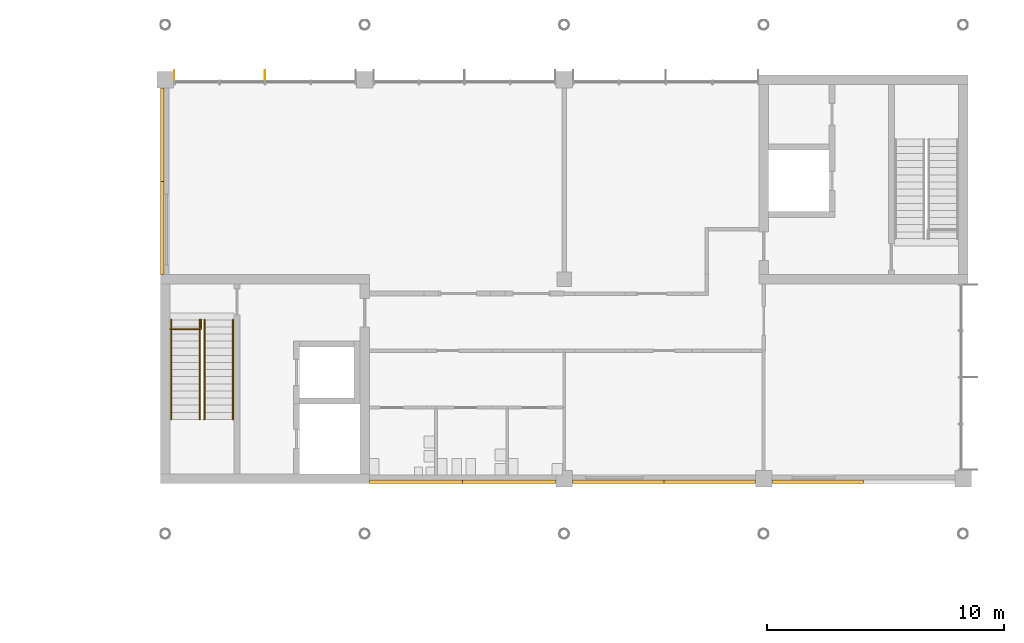
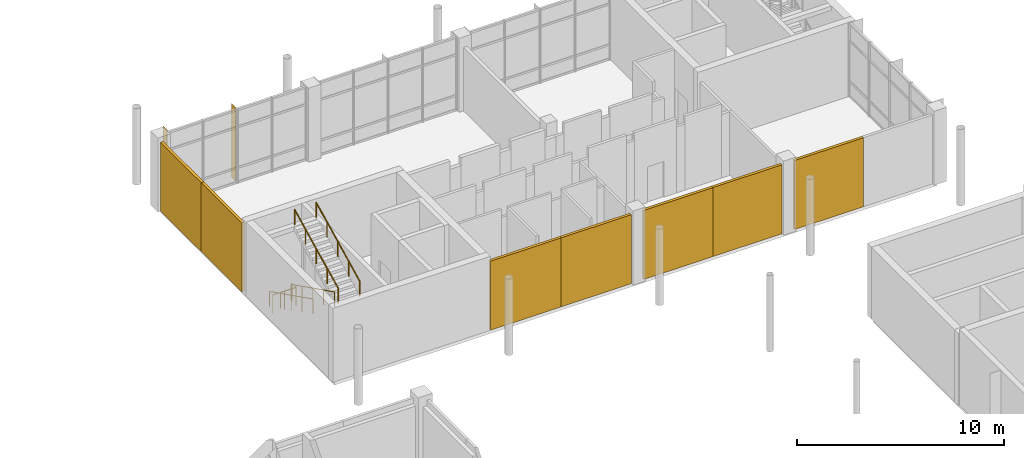
# One storey, part 66 of 70: 9 shading devices, 5 railings.
"""IFC4 building model written with IfcOpenShell, lengths in metres."""

from ifc_helpers import new_model, si_unit, direction, frame, origin, origin_2d, place, context, subcontext, project, spatial, rectangle, circle, extrude, material, layer, layer_set, type_object, element, save


model = new_model("IFC4")

# Units and contexts
model_context = context("Model", 3, precision=1e-05, world=origin(), true_north=direction((0.0, 1.0)))
body_context = subcontext(model_context, "Body", "Model", "MODEL_VIEW")
ifc_project = project(units=[si_unit("LENGTHUNIT", "METRE"), si_unit("AREAUNIT", "SQUARE_METRE"), si_unit("VOLUMEUNIT", "CUBIC_METRE"), si_unit("PLANEANGLEUNIT", "RADIAN"), si_unit("MASSUNIT", "GRAM", prefix="KILO")], contexts=[model_context])

# Site, building, storey
site_placement = place(None, origin())
site = spatial("IfcSite", under=ifc_project, at=site_placement, CompositionType="ELEMENT")
building_placement = place(site_placement, origin())
building = spatial("IfcBuilding", under=site, at=building_placement, Name="Hlaing Beacon Police Headquarters", CompositionType="ELEMENT")
storey_placement = place(building_placement, frame((0.0, 0.0, 5.39990234375)))
storey = spatial("IfcBuildingStorey", under=building, at=storey_placement, Name="L01", CompositionType="ELEMENT", Elevation=5.39990234375)

# Shading devices
ifc_material_1 = material(Name="Aluminium 6063-T5 anodised", Category="aluminium")
ifc_layer_1 = layer(ifc_material_1, 0.011962890625)
ifc_layer_set_1 = layer_set([ifc_layer_1], Name="Aluminium 6063-T5 anodised")
shading_device_type_1 = type_object("IfcShadingDeviceType", Name="Aluminium fin 12x400", PredefinedType="JALOUSIE", material=ifc_layer_set_1)
for number, where, z_axis, x_axis, name in (
    (1, (37.800048828125, 92.60009765625, 0.0), (0.0, 0.0, 1.0), (-1.0, 0.0, 0.0), "Fin L01 N030.2"),
    (2, (33.97998046875, 92.60009765625, 0.0), (0.0, 0.0, 1.0), (-1.0, 0.0, 0.0), "Fin L01 N030.4"),
):
    element("IfcShadingDevice", number, at=place(storey_placement, frame(where, z_axis=z_axis, x_axis=x_axis)), inside=storey, type_object=shading_device_type_1, Name=name, PredefinedType="JALOUSIE", context=body_context, shape_type="SweptSolid", body=[
        extrude(rectangle(XDim=0.011962890625, YDim=0.39990234375, at=origin_2d()), origin(), (0.0, 0.0, 1.0), 4.3701171875),
    ])
ifc_material_2 = material(Name="Perforated aluminium", Category="aluminium")
ifc_layer_2 = layer(ifc_material_2, 0.14990234375)
ifc_layer_set_2 = layer_set([ifc_layer_2], Name="Perforated aluminium")
shading_device_type_2 = type_object("IfcShadingDeviceType", Name="Perforated screen panel 150", PredefinedType="JALOUSIE", material=ifc_layer_set_2)
for number, where, z_axis, x_axis, name in (
    (3, (33.47509765625, 90.08740234375, 0.0), (0.0, 0.0, 1.0), (0.0, -1.0, 0.0), "Screen L01 W019"),
    (4, (33.47509765625, 86.16259765625, 0.0), (0.0, 0.0, 1.0), (0.0, -1.0, 0.0), "Screen L01 W020"),
    (5, (44.16259765625, 75.47509765625, 0.0), (0.0, 0.0, 1.0), (1.0, 0.0, 0.0), "Screen L01 S021"),
    (6, (48.08740234375, 75.47509765625, 0.0), (0.0, 0.0, 1.0), (1.0, 0.0, 0.0), "Screen L01 S022"),
):
    element("IfcShadingDevice", number, at=place(storey_placement, frame(where, z_axis=z_axis, x_axis=x_axis)), inside=storey, type_object=shading_device_type_2, Name=name, PredefinedType="JALOUSIE", context=body_context, shape_type="SweptSolid", body=[
        extrude(rectangle(XDim=3.925048828125, YDim=0.14990234375, at=origin_2d()), origin(), (0.0, 0.0, 1.0), 4.070068359375),
    ])
for number, where, z_axis, x_axis, name in (
    (7, (52.675048828125, 75.47509765625, 0.0), (0.0, 0.0, 1.0), (1.0, 0.0, 0.0), "Screen L01 S023"),
    (8, (56.52490234375, 75.47509765625, 0.0), (0.0, 0.0, 1.0), (1.0, 0.0, 0.0), "Screen L01 S024"),
    (9, (61.074951171875, 75.47509765625, 0.0), (0.0, 0.0, 1.0), (1.0, 0.0, 0.0), "Screen L01 S025"),
):
    element("IfcShadingDevice", number, at=place(storey_placement, frame(where, z_axis=z_axis, x_axis=x_axis)), inside=storey, type_object=shading_device_type_2, Name=name, PredefinedType="JALOUSIE", context=body_context, shape_type="SweptSolid", body=[
        extrude(rectangle(XDim=3.85009765625, YDim=0.14990234375, at=origin_2d()), origin(), (0.0, 0.0, 1.0), 4.070068359375),
    ])

# Railings
ifc_material_3 = material(Name="Stainless steel", Category="steel")
railing_type_1 = type_object("IfcRailingType", Name="Stair guard 1100", PredefinedType="GUARDRAIL", material=ifc_material_3)
railing_placement = place(storey_placement, frame((33.800048828125, 81.89990234375, 0.0)))
element("IfcRailing", 10, at=railing_placement, inside=storey, type_object=railing_type_1, Name="Guard ST-E", PredefinedType="GUARDRAIL", context=body_context, shape_type="SweptSolid", body=[
    extrude(circle(Radius=0.02392578125, at=origin_2d()), frame((0.0, 0.0, 1.076171875), z_axis=(1.0, 0.0, 0.0), x_axis=(0.0, 1.0, 0.0)), (0.0, 0.0, 1.0), 1.300048828125),
    extrude(circle(Radius=0.02392578125, at=origin_2d()), frame((1.300048828125, 0.0, 1.076171875), z_axis=(0.0, 1.0, 0.0), x_axis=(-1.0, 0.0, 0.0)), (0.0, 0.0, 1.0), 0.400146484375),
    extrude(circle(Radius=0.02099609375, at=origin_2d()), origin(), (0.0, 0.0, 1.0), 1.052001953125),
    extrude(circle(Radius=0.02099609375, at=origin_2d()), frame((0.64990234375, 0.0, 0.0)), (0.0, 0.0, 1.0), 1.052001953125),
    extrude(circle(Radius=0.02099609375, at=origin_2d()), frame((1.300048828125, 0.0, 0.0)), (0.0, 0.0, 1.0), 1.052001953125),
    extrude(circle(Radius=0.02099609375, at=origin_2d()), frame((1.300048828125, 0.400146484375, 0.0)), (0.0, 0.0, 1.0), 1.052001953125),
])
ifc_material_4 = material(Name="Stainless steel", Category="steel")
railing_type_2 = type_object("IfcRailingType", Name="Stair handrail 900", PredefinedType="HANDRAIL", material=ifc_material_4)
for number, where, name in (
    (11, (33.85009765625, 82.300048828125, 0.150146484375), "Handrail ST-E"),
    (12, (35.050048828125, 82.300048828125, 0.150146484375), "Handrail ST-E"),
):
    element("IfcRailing", number, at=place(storey_placement, frame(where)), inside=storey, type_object=railing_type_2, Name=name, PredefinedType="HANDRAIL", context=body_context, shape_type="SweptSolid", body=[
        extrude(circle(Radius=0.02392578125, at=origin_2d()), frame((0.0, 0.0, 0.8759765625), z_axis=(0.0, -0.894437589381, 0.447192798132), x_axis=(1.0, 0.0, 0.0)), (0.0, 0.0, 1.0), 4.695556640625),
        extrude(circle(Radius=0.02099609375, at=origin_2d()), origin(), (0.0, 0.0, 1.0), 0.851806640625),
        extrude(circle(Radius=0.02099609375, at=origin_2d()), frame((0.0, -1.050048828125, 0.52490234375)), (0.0, 0.0, 1.0), 0.851806640625),
        extrude(circle(Radius=0.02099609375, at=origin_2d()), frame((0.0, -2.10009765625, 1.0498046875)), (0.0, 0.0, 1.0), 0.851806640625),
        extrude(circle(Radius=0.02099609375, at=origin_2d()), frame((0.0, -3.14990234375, 1.574951171875)), (0.0, 0.0, 1.0), 0.851806640625),
        extrude(circle(Radius=0.02099609375, at=origin_2d()), frame((0.0, -4.199951171875, 2.099853515625)), (0.0, 0.0, 1.0), 0.851806640625),
    ])
for number, where, name in (
    (13, (35.25, 78.10009765625, 2.400146484375), "Handrail ST-E"),
    (14, (36.449951171875, 78.10009765625, 2.400146484375), "Handrail ST-E"),
):
    element("IfcRailing", number, at=place(storey_placement, frame(where)), inside=storey, type_object=railing_type_2, Name=name, PredefinedType="HANDRAIL", context=body_context, shape_type="SweptSolid", body=[
        extrude(circle(Radius=0.02392578125, at=origin_2d()), frame((0.0, 0.0, 0.8759765625), z_axis=(0.0, 0.894437589381, 0.447192798132), x_axis=(-1.0, 0.0, 0.0)), (0.0, 0.0, 1.0), 4.695556640625),
        extrude(circle(Radius=0.02099609375, at=origin_2d()), origin(), (0.0, 0.0, 1.0), 0.851806640625),
        extrude(circle(Radius=0.02099609375, at=origin_2d()), frame((0.0, 1.050048828125, 0.52490234375)), (0.0, 0.0, 1.0), 0.851806640625),
        extrude(circle(Radius=0.02099609375, at=origin_2d()), frame((0.0, 2.10009765625, 1.0498046875)), (0.0, 0.0, 1.0), 0.851806640625),
        extrude(circle(Radius=0.02099609375, at=origin_2d()), frame((0.0, 3.14990234375, 1.574951171875)), (0.0, 0.0, 1.0), 0.851806640625),
        extrude(circle(Radius=0.02099609375, at=origin_2d()), frame((0.0, 4.199951171875, 2.099853515625)), (0.0, 0.0, 1.0), 0.851806640625),
    ])

save(model, "model.ifc")
